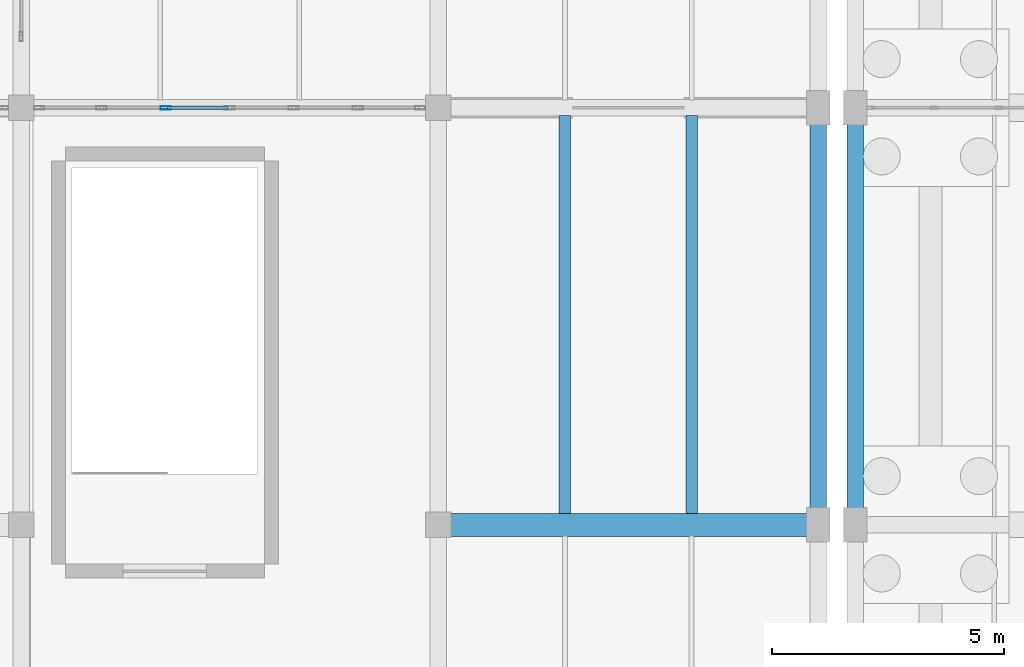
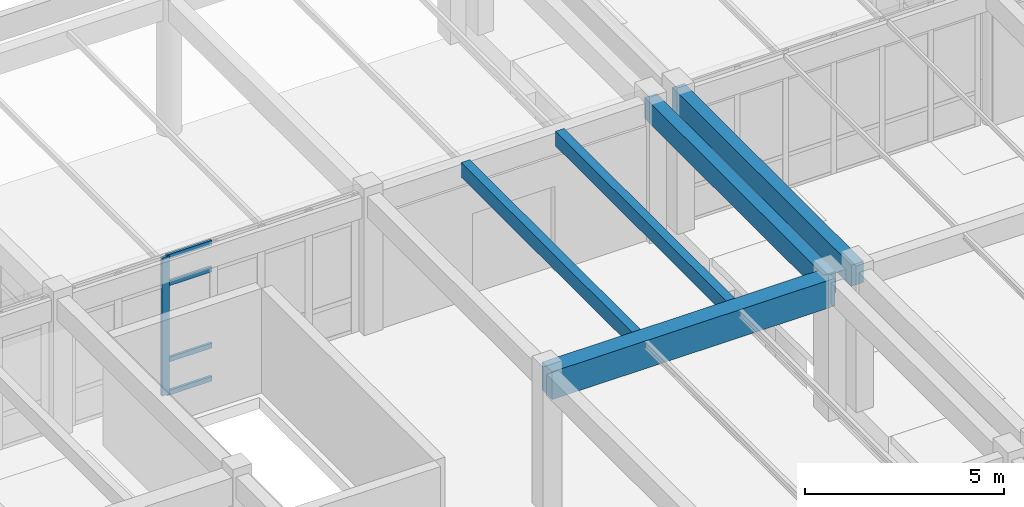
# One storey, part 101 of 186: 5 beams, 5 members, 1 element without a shape of its own.
"""IFC4 building model written with IfcOpenShell, lengths in metres."""

from ifc_helpers import new_model, si_unit, direction, frame, origin, origin_2d, place, context, subcontext, project, spatial, rectangle, hollow_rectangle, extrude, material, layer, layer_set, material_profile, profile_set, type_object, element, aggregate, save


model = new_model("IFC4")

# Units and contexts
model_context = context("Model", 3, precision=1e-05, world=origin(), true_north=direction((0.0, 1.0)))
body_context = subcontext(model_context, "Body", "Model", "MODEL_VIEW")
ifc_project = project(units=[si_unit("LENGTHUNIT", "METRE"), si_unit("AREAUNIT", "SQUARE_METRE"), si_unit("VOLUMEUNIT", "CUBIC_METRE"), si_unit("PLANEANGLEUNIT", "RADIAN"), si_unit("MASSUNIT", "GRAM", prefix="KILO")], contexts=[model_context])

# Site, building, storey
site_placement = place(None, origin())
site = spatial("IfcSite", under=ifc_project, at=site_placement, CompositionType="ELEMENT")
building_placement = place(site_placement, origin())
building = spatial("IfcBuilding", under=site, at=building_placement, Name="Ornek Quay Market", CompositionType="ELEMENT")
storey_placement = place(building_placement, origin())
storey = spatial("IfcBuildingStorey", under=building, at=storey_placement, Name="L00", CompositionType="ELEMENT", Elevation=0.0)

# Beams
ifc_material_1 = material(Name="Concrete C35/45", Category="concrete")
ifc_material_profile_1 = material_profile(ifc_material_1, rectangle(XDim=0.35009765625, YDim=0.64990234375, at=origin_2d()), Name="RC 350x650", Category="concrete")
ifc_profile_set_1 = profile_set([ifc_material_profile_1], Name="Concrete C35/45")
beam_type_1 = type_object("IfcBeamType", Name="BM-CONC-350x650", PredefinedType="BEAM", material=ifc_profile_set_1)
for number, where, z_axis, x_axis, name in (
    (1, (126.0, 101.0, 3.945068359375), (0.0, 1.0, 0.0), (-1.0, 0.0, 0.0), "Primary beam B-CN1-080"),
    (2, (125.199951171875, 101.0, 3.9150390625), (0.0, 1.0, 0.0), (-1.0, 0.0, 0.0), "Primary beam B-CN1-112"),
):
    element("IfcBeam", number, at=place(storey_placement, frame(where, z_axis=z_axis, x_axis=x_axis)), inside=storey, type_object=beam_type_1, Name=name, PredefinedType="BEAM", context=body_context, shape_type="SweptSolid", body=[
        extrude(rectangle(XDim=0.35009765625, YDim=0.64990234375, at=origin_2d()), origin(), (0.0, 0.0, 1.0), 9.0),
    ])
ifc_material_2 = material(Name="Concrete C40/50", Category="concrete")
ifc_material_profile_2 = material_profile(ifc_material_2, rectangle(XDim=0.5, YDim=0.85009765625, at=origin_2d()), Name="RC 500x850", Category="concrete")
ifc_profile_set_2 = profile_set([ifc_material_profile_2], Name="Concrete C40/50")
beam_type_2 = type_object("IfcBeamType", Name="BM-GAL-500x850", PredefinedType="BEAM", material=ifc_profile_set_2)
beam_placement = place(storey_placement, frame((117.0, 101.0, 3.81494140625), z_axis=(1.0, 0.0, 0.0), x_axis=(0.0, 1.0, 0.0)))
element("IfcBeam", 3, at=beam_placement, inside=storey, type_object=beam_type_2, Name="Primary beam B-GL1-064", PredefinedType="BEAM", context=body_context, shape_type="SweptSolid", body=[
    extrude(rectangle(XDim=0.5, YDim=0.85009765625, at=origin_2d()), origin(), (0.0, 0.0, 1.0), 8.199951171875),
])
ifc_material_profile_3 = material_profile(ifc_material_1, rectangle(XDim=0.25, YDim=0.449951171875, at=origin_2d()), Name="RC 250x450", Category="concrete")
ifc_profile_set_3 = profile_set([ifc_material_profile_3], Name="Concrete C35/45")
beam_type_3 = type_object("IfcBeamType", Name="BM-SEC-250x450", PredefinedType="JOIST", material=ifc_profile_set_3)
for number, where, z_axis, x_axis, name in (
    (4, (119.7333984375, 101.241943359375, 4.014892578125), (0.0, 1.0, 0.0), (-1.0, 0.0, 0.0), "Secondary joist B-SC3-007"),
    (5, (122.466796875, 101.241943359375, 4.014892578125), (0.0, 1.0, 0.0), (-1.0, 0.0, 0.0), "Secondary joist B-SC3-008"),
):
    element("IfcBeam", number, at=place(storey_placement, frame(where, z_axis=z_axis, x_axis=x_axis)), inside=storey, type_object=beam_type_3, Name=name, PredefinedType="JOIST", context=body_context, shape_type="SweptSolid", body=[
        extrude(rectangle(XDim=0.25, YDim=0.449951171875, at=origin_2d()), origin(), (0.0, 0.0, 1.0), 8.591064453125),
    ])

# Curtain wall, members
ifc_material_3 = material(Name="Anodised bronze aluminium and triple low-e glass", Category="aluminium")
ifc_layer = layer(ifc_material_3, 0.219970703125, Name="Anodised bronze aluminium and triple low-e glass", Category="aluminium")
ifc_layer_set = layer_set([ifc_layer], Name="Anodised bronze aluminium and triple low-e glass")
curtain_wall_type = type_object("IfcCurtainWallType", Name="CW-PORCH-MOD1500", PredefinedType="USERDEFINED", material=ifc_layer_set)
curtain_wall_placement = place(storey_placement, origin())
curtain_wall = element("IfcCurtainWall", 6, at=curtain_wall_placement, inside=storey, type_object=curtain_wall_type, Name="Curtain wall CW-048", ObjectType="CURTAIN WALL", PredefinedType="USERDEFINED")
ifc_material_4 = material(Name="Anodised aluminium 6063-T6", Category="aluminium")
ifc_material_profile_4 = material_profile(ifc_material_4, hollow_rectangle(XDim=0.074951171875, YDim=0.219970703125, WallThickness=0.0048828125, at=origin_2d()), Name="CW-MUL-75x220", Category="aluminium")
ifc_profile_set_4 = profile_set([ifc_material_profile_4], Name="Anodised aluminium 6063-T6")
member_type_1 = type_object("IfcMemberType", Name="CW-MUL-75x220", PredefinedType="MULLION", material=ifc_profile_set_4)
member_1_placement = place(storey_placement, frame((111.11669921875, 110.0, 0.0), z_axis=(0.0, 0.0, 1.0), x_axis=(0.0, 1.0, 0.0)))
member_1 = element("IfcMember", 7, at=member_1_placement, type_object=member_type_1, Name="CW-048 mullion 3", PredefinedType="MULLION", context=body_context, shape_type="SweptSolid", body=[
    extrude(hollow_rectangle(XDim=0.074951171875, YDim=0.219970703125, WallThickness=0.0048828125, at=origin_2d()), origin(), (0.0, 0.0, 1.0), 4.239990234375),
])
ifc_material_profile_5 = material_profile(ifc_material_4, hollow_rectangle(XDim=0.070068359375, YDim=0.14990234375, WallThickness=0.0048828125, at=origin_2d()), Name="CW-TRN-70x150", Category="aluminium")
ifc_profile_set_5 = profile_set([ifc_material_profile_5], Name="Anodised aluminium 6063-T6")
member_type_2 = type_object("IfcMemberType", Name="CW-TRN-70x150", PredefinedType="USERDEFINED", material=ifc_profile_set_5)
member_2_placement = place(storey_placement, frame((111.154052734375, 110.0, 0.034912109375), z_axis=(1.0, 0.0, 0.0), x_axis=(0.0, 1.0, 0.0)))
member_2 = element("IfcMember", 8, at=member_2_placement, type_object=member_type_2, Name="CW-048 transom 3.1", ObjectType="TRANSOM", PredefinedType="USERDEFINED", context=body_context, shape_type="SweptSolid", body=[
    extrude(hollow_rectangle(XDim=0.070068359375, YDim=0.14990234375, WallThickness=0.0048828125, at=origin_2d()), origin(), (0.0, 0.0, 1.0), 1.308349609375),
])
member_3_placement = place(storey_placement, frame((111.154052734375, 110.0, 1.050048828125), z_axis=(1.0, 0.0, 0.0), x_axis=(0.0, 1.0, 0.0)))
member_3 = element("IfcMember", 9, at=member_3_placement, type_object=member_type_2, Name="CW-048 transom 3.2", ObjectType="TRANSOM", PredefinedType="USERDEFINED", context=body_context, shape_type="SweptSolid", body=[
    extrude(hollow_rectangle(XDim=0.070068359375, YDim=0.14990234375, WallThickness=0.0048828125, at=origin_2d()), origin(), (0.0, 0.0, 1.0), 1.308349609375),
])
member_4_placement = place(storey_placement, frame((111.154052734375, 110.0, 3.389892578125), z_axis=(1.0, 0.0, 0.0), x_axis=(0.0, 1.0, 0.0)))
member_4 = element("IfcMember", 10, at=member_4_placement, type_object=member_type_2, Name="CW-048 transom 3.3", ObjectType="TRANSOM", PredefinedType="USERDEFINED", context=body_context, shape_type="SweptSolid", body=[
    extrude(hollow_rectangle(XDim=0.070068359375, YDim=0.14990234375, WallThickness=0.0048828125, at=origin_2d()), origin(), (0.0, 0.0, 1.0), 1.308349609375),
])
member_5_placement = place(storey_placement, frame((111.154052734375, 110.0, 4.205078125), z_axis=(1.0, 0.0, 0.0), x_axis=(0.0, 1.0, 0.0)))
member_5 = element("IfcMember", 11, at=member_5_placement, type_object=member_type_2, Name="CW-048 transom 3.4", ObjectType="TRANSOM", PredefinedType="USERDEFINED", context=body_context, shape_type="SweptSolid", body=[
    extrude(hollow_rectangle(XDim=0.070068359375, YDim=0.14990234375, WallThickness=0.0048828125, at=origin_2d()), origin(), (0.0, 0.0, 1.0), 1.308349609375),
])
aggregate(curtain_wall, [member_1, member_2, member_3, member_4, member_5])

save(model, "model.ifc")
